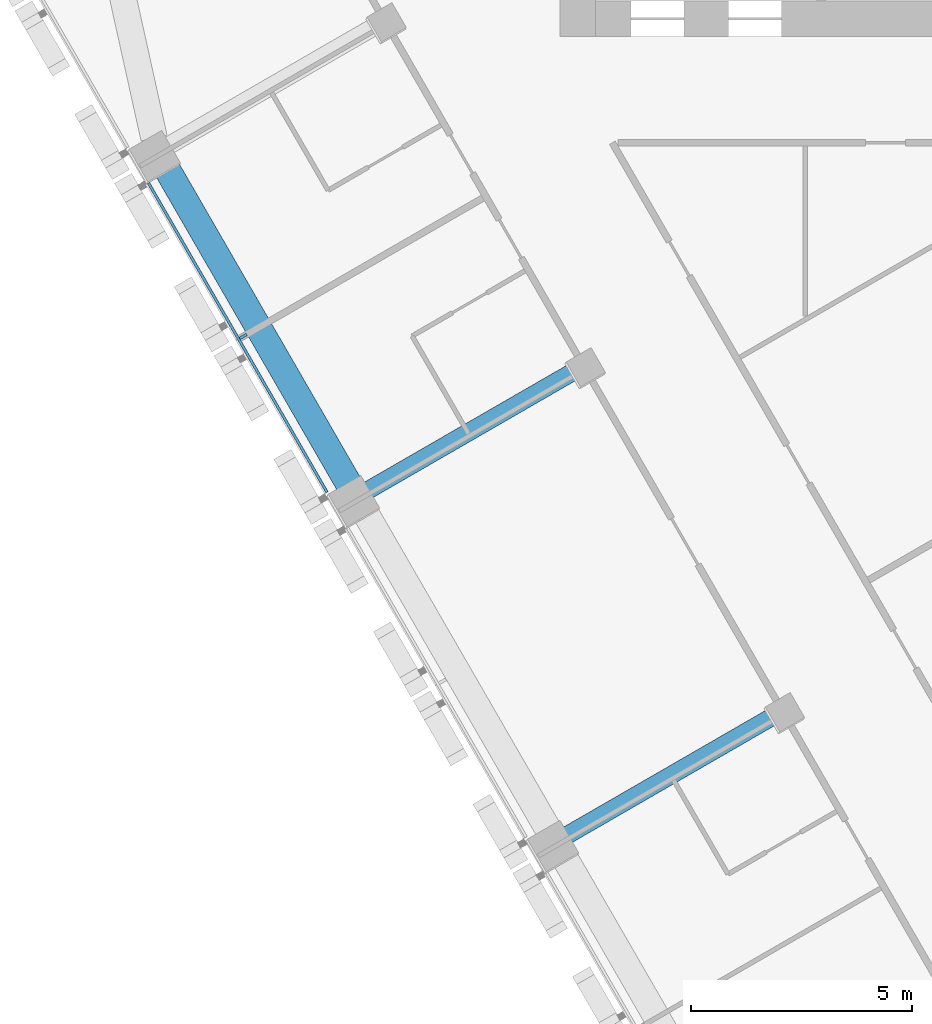
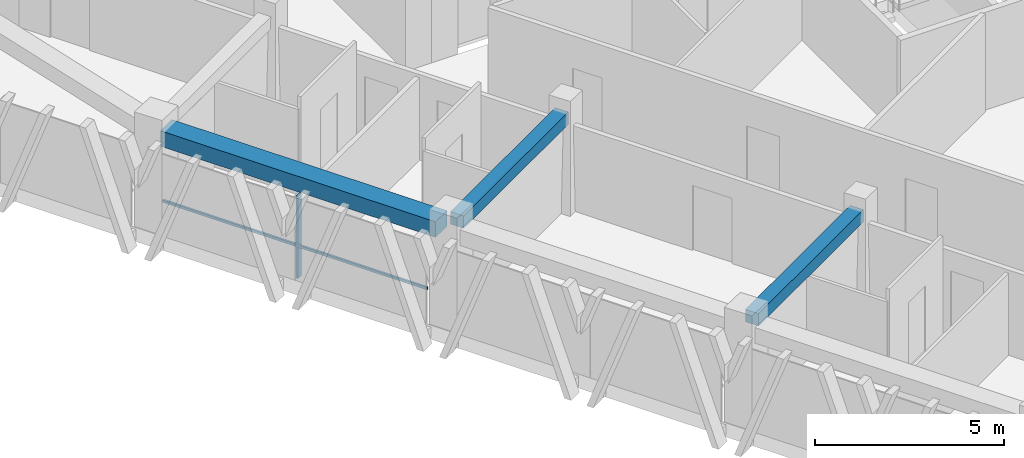
# One storey, part 3 of 15: 3 beams, 2 members, 1 element without a shape of its own.
"""IFC4 building model written with IfcOpenShell, lengths in metres."""

from ifc_helpers import new_model, si_unit, direction, frame, origin, origin_2d, place, context, subcontext, project, spatial, rectangle, extrude, material, layer, layer_set, material_profile, profile_set, type_object, element, aggregate, save


model = new_model("IFC4")

# Units and contexts
model_context = context("Model", 3, precision=1e-05, world=origin(), true_north=direction((0.0, 1.0)))
body_context = subcontext(model_context, "Body", "Model", "MODEL_VIEW")
ifc_project = project(units=[si_unit("LENGTHUNIT", "METRE"), si_unit("AREAUNIT", "SQUARE_METRE"), si_unit("VOLUMEUNIT", "CUBIC_METRE"), si_unit("PLANEANGLEUNIT", "RADIAN"), si_unit("MASSUNIT", "GRAM", prefix="KILO")], contexts=[model_context])

# Site, building, storey
site_placement = place(None, origin())
site = spatial("IfcSite", under=ifc_project, at=site_placement, CompositionType="ELEMENT")
building_placement = place(site_placement, origin())
building = spatial("IfcBuilding", under=site, at=building_placement, Name="Altiplano Prism Tower", CompositionType="ELEMENT")
storey_placement = place(building_placement, frame((0.0, 0.0, 142.199951171875)))
storey = spatial("IfcBuildingStorey", under=building, at=storey_placement, Name="L36", CompositionType="ELEMENT", Elevation=142.199951171875)

# Curtain wall, members
ifc_material_1 = material(Name="Aluminium and glass", Category="aluminium")
ifc_layer = layer(ifc_material_1, 0.280029296875)
ifc_layer_set = layer_set([ifc_layer], Name="Aluminium and glass")
curtain_wall_type = type_object("IfcCurtainWallType", Name="CW1 typical co-living unitised curtain wall", PredefinedType="NOTDEFINED", material=ifc_layer_set)
curtain_wall_placement = place(storey_placement, origin())
curtain_wall = element("IfcCurtainWall", 1, at=curtain_wall_placement, inside=storey, type_object=curtain_wall_type, Name="CW1 curtain wall south-west face L36", PredefinedType="NOTDEFINED")
ifc_material_2 = material(Name="Aluminium", Category="aluminium")
ifc_material_profile_1 = material_profile(ifc_material_2, rectangle(XDim=0.179931640625, YDim=0.06494140625, at=origin_2d()), Name="CW1 mullion 65 x 180")
ifc_profile_set_1 = profile_set([ifc_material_profile_1], Name="Aluminium")
member_type_1 = type_object("IfcMemberType", Name="CW1 mullion 65 x 180", PredefinedType="MULLION", material=ifc_profile_set_1)
member_1_placement = place(storey_placement, frame((65.03759765625, 85.82275390625, 0.0), z_axis=(0.0, 0.0, 1.0), x_axis=(0.866025403278, 0.500000000877, 0.0)))
member_1 = element("IfcMember", 2, at=member_1_placement, type_object=member_type_1, Name="CW1 mullion", PredefinedType="MULLION", context=body_context, shape_type="SweptSolid", body=[
    extrude(rectangle(XDim=0.179931640625, YDim=0.06494140625, at=origin_2d()), origin(), (0.0, 0.0, 1.0), 2.650146484375),
])
ifc_material_profile_2 = material_profile(ifc_material_2, rectangle(XDim=0.06005859375, YDim=0.080078125, at=origin_2d()), Name="CW1 transom 80 x 60")
ifc_profile_set_2 = profile_set([ifc_material_profile_2], Name="Aluminium")
member_type_2 = type_object("IfcMemberType", Name="CW1 transom 80 x 60", PredefinedType="USERDEFINED", material=ifc_profile_set_2)
member_2_placement = place(storey_placement, frame((62.896484375, 89.291259765625, 1.10009765625), z_axis=(0.499994808408, -0.866028401131, 0.0), x_axis=(0.866028401131, 0.499994808408, 0.0)))
member_2 = element("IfcMember", 3, at=member_2_placement, type_object=member_type_2, Name="CW1 transom", ObjectType="TRANSOM", PredefinedType="USERDEFINED", context=body_context, shape_type="SweptSolid", body=[
    extrude(rectangle(XDim=0.06005859375, YDim=0.080078125, at=origin_2d()), origin(), (0.0, 0.0, 1.0), 8.06982421875),
])
aggregate(curtain_wall, [member_1, member_2])

# Beams
ifc_material_3 = material(Name="Concrete C60/75", Category="concrete")
ifc_material_profile_3 = material_profile(ifc_material_3, rectangle(XDim=0.60009765625, YDim=0.5, at=origin_2d()), Name="Edge beam 600x500")
ifc_profile_set_3 = profile_set([ifc_material_profile_3], Name="Concrete C60/75")
beam_type_1 = type_object("IfcBeamType", Name="Edge beam 600x500", PredefinedType="SPANDREL", material=ifc_profile_set_3)
beam_placement = place(storey_placement, frame((63.245361328125, 89.72412109375, 2.900146484375), z_axis=(0.500010445942, -0.866019372733, 0.0), x_axis=(0.866019372733, 0.500010445942, 0.0)))
element("IfcBeam", 4, at=beam_placement, inside=storey, type_object=beam_type_1, Name="Edge beam P11-P12 L37", PredefinedType="SPANDREL", context=body_context, shape_type="SweptSolid", body=[
    extrude(rectangle(XDim=0.60009765625, YDim=0.5, at=origin_2d()), origin(), (0.0, 0.0, 1.0), 8.389892578125),
])
ifc_material_profile_4 = material_profile(ifc_material_3, rectangle(XDim=0.39990234375, YDim=0.39990234375, at=origin_2d()), Name="Tie beam 400x400")
ifc_profile_set_4 = profile_set([ifc_material_profile_4], Name="Concrete C60/75")
beam_type_2 = type_object("IfcBeamType", Name="Tie beam 400x400", PredefinedType="BEAM", material=ifc_profile_set_4)
for number, where, z_axis, x_axis, name in (
    (5, (72.65478515625, 85.11669921875, 2.949951171875), (-0.866027073272, -0.499997108352, 0.0), (0.499997108352, -0.866027073272, 0.0), "Tie beam I12 L37"),
    (6, (77.15478515625, 77.322509765625, 2.949951171875), (-0.866027073272, -0.499997108352, 0.0), (0.499997108352, -0.866027073272, 0.0), "Tie beam I13 L37"),
):
    element("IfcBeam", number, at=place(storey_placement, frame(where, z_axis=z_axis, x_axis=x_axis)), inside=storey, type_object=beam_type_2, Name=name, PredefinedType="BEAM", context=body_context, shape_type="SweptSolid", body=[
        extrude(rectangle(XDim=0.39990234375, YDim=0.39990234375, at=origin_2d()), origin(), (0.0, 0.0, 1.0), 5.5400390625),
    ])

save(model, "model.ifc")
